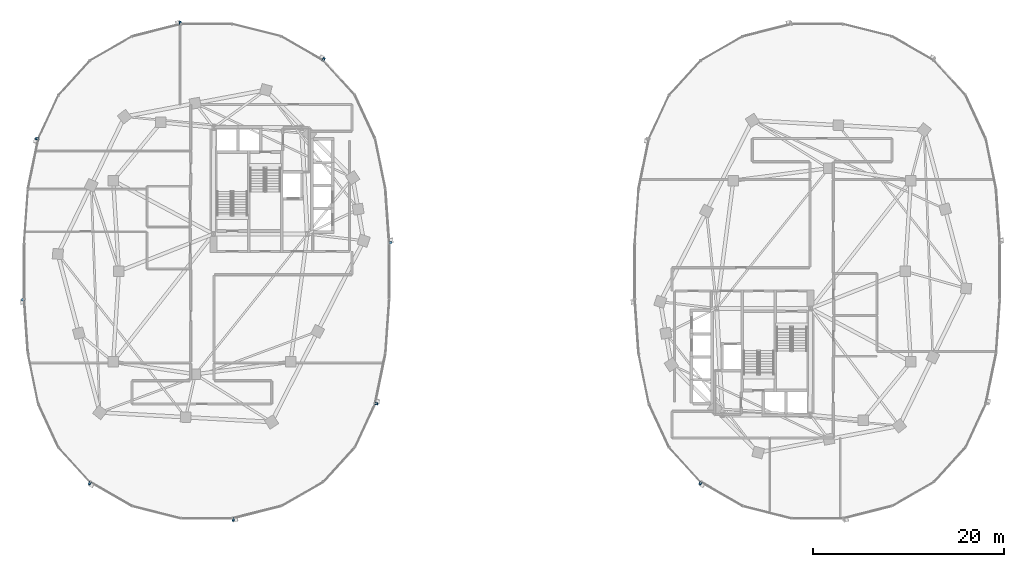
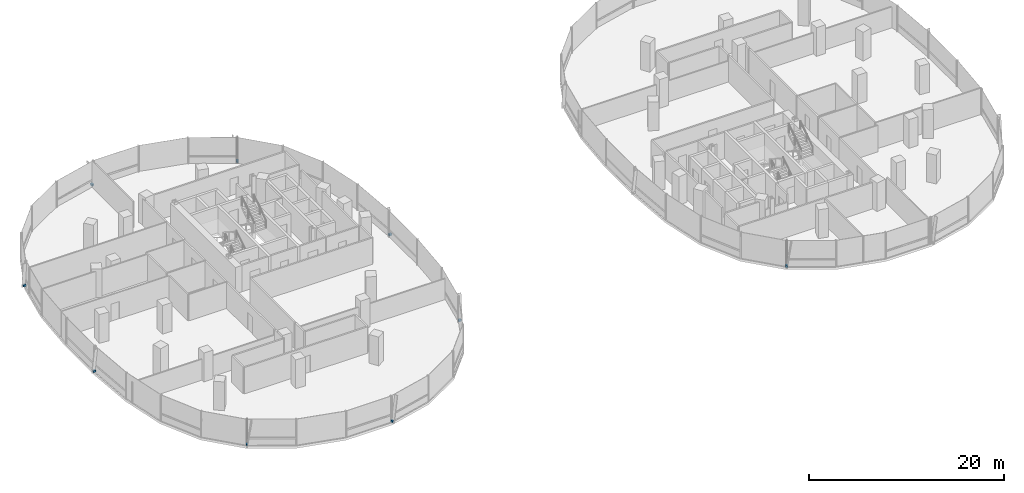
# One storey, part 15 of 21: 9 discrete accessories.
"""IFC4 building model written with IfcOpenShell, lengths in metres."""

from ifc_helpers import new_model, si_unit, direction, frame, origin, origin_2d, place, context, subcontext, project, spatial, rectangle, extrude, material, type_object, element, save


model = new_model("IFC4")

# Units and contexts
model_context = context("Model", 3, precision=1e-05, world=origin(), true_north=direction((0.0, 1.0)))
body_context = subcontext(model_context, "Body", "Model", "MODEL_VIEW")
ifc_project = project(units=[si_unit("LENGTHUNIT", "METRE"), si_unit("AREAUNIT", "SQUARE_METRE"), si_unit("VOLUMEUNIT", "CUBIC_METRE"), si_unit("PLANEANGLEUNIT", "RADIAN"), si_unit("MASSUNIT", "GRAM", prefix="KILO"), si_unit("THERMODYNAMICTEMPERATUREUNIT", "KELVIN"), si_unit("POWERUNIT", "WATT")], contexts=[model_context])

# Site, building, storey
site_placement = place(None, origin())
site = spatial("IfcSite", under=ifc_project, at=site_placement, CompositionType="ELEMENT")
building_placement = place(site_placement, origin())
building = spatial("IfcBuilding", under=site, at=building_placement, Name="Cundina Bronze Exchange", CompositionType="ELEMENT")
storey_placement = place(building_placement, frame((0.0, 0.0, 107.0)))
storey = spatial("IfcBuildingStorey", under=building, at=storey_placement, Name="L27", CompositionType="ELEMENT", Elevation=107.0)

# Discrete accessories
ifc_material = material(Name="Anodised Bronze Aluminium 6063-T6", Category="aluminium")
discrete_accessory_type = type_object("IfcDiscreteAccessoryType", Name="ACC-BRK-FIN", PredefinedType="BRACKET", material=ifc_material)
for number, where, z_axis, x_axis, name in (
    (1, (-12.735595703125, 2.986083984375, 0.10009765625), (0.0, 0.0, 1.0), (-0.070278787473, 0.997527389113, 0.0), "L27 Fin Support Bracket 1"),
    (2, (-19.740478515625, 22.21875, 0.10009765625), (0.0, 0.0, 1.0), (-0.867105478933, 0.498124571171, 0.0), "L27 Fin Support Bracket 5"),
    (3, (-34.76025390625, 26.03173828125, 0.10009765625), (0.0, 0.0, 1.0), (-0.969488149345, -0.245138182011, 0.0), "L27 Fin Support Bracket 1"),
    (4, (-49.788330078125, 13.8896484375, 0.10009765625), (0.0, 0.0, 1.0), (-0.201419845156, -0.979505000486, 0.0), "L27 Fin Support Bracket 5"),
    (5, (-51.264404296875, -2.986083984375, 0.10009765625), (0.0, 0.0, 1.0), (0.070278787473, -0.997527389113, 0.0), "L27 Fin Support Bracket 1"),
    (6, (-44.259521484375, -22.21875, 0.10009765625), (0.0, 0.0, 1.0), (0.867105478933, -0.498124571171, 0.0), "L27 Fin Support Bracket 5"),
    (7, (-29.23974609375, -26.03173828125, 0.10009765625), (0.0, 0.0, 1.0), (0.969488149345, 0.245138182011, 0.0), "L27 Fin Support Bracket 1"),
    (8, (-14.211669921875, -13.8896484375, 0.10009765625), (0.0, 0.0, 1.0), (0.201419845156, 0.979505000486, 0.0), "L27 Fin Support Bracket 5"),
    (9, (19.740478515625, -22.21875, 0.10009765625), (0.0, 0.0, 1.0), (0.867105478933, -0.498124571171, 0.0), "L27 Fin Support Bracket 5"),
):
    element("IfcDiscreteAccessory", number, at=place(storey_placement, frame(where, z_axis=z_axis, x_axis=x_axis)), inside=storey, type_object=discrete_accessory_type, Name=name, PredefinedType="BRACKET", context=body_context, shape_type="SweptSolid", body=[
        extrude(rectangle(XDim=0.219970703125, YDim=0.320068359375, at=origin_2d()), origin(), (0.0, 0.0, 1.0), 0.239990234375),
    ])

save(model, "model.ifc")
